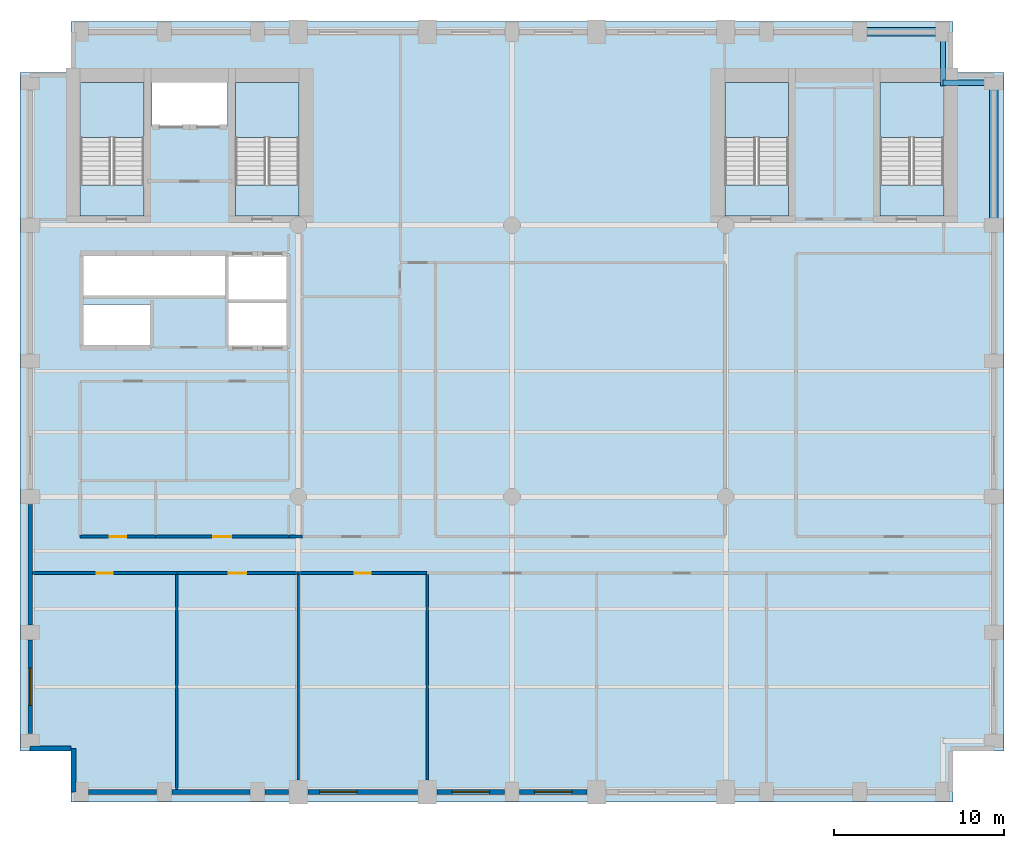
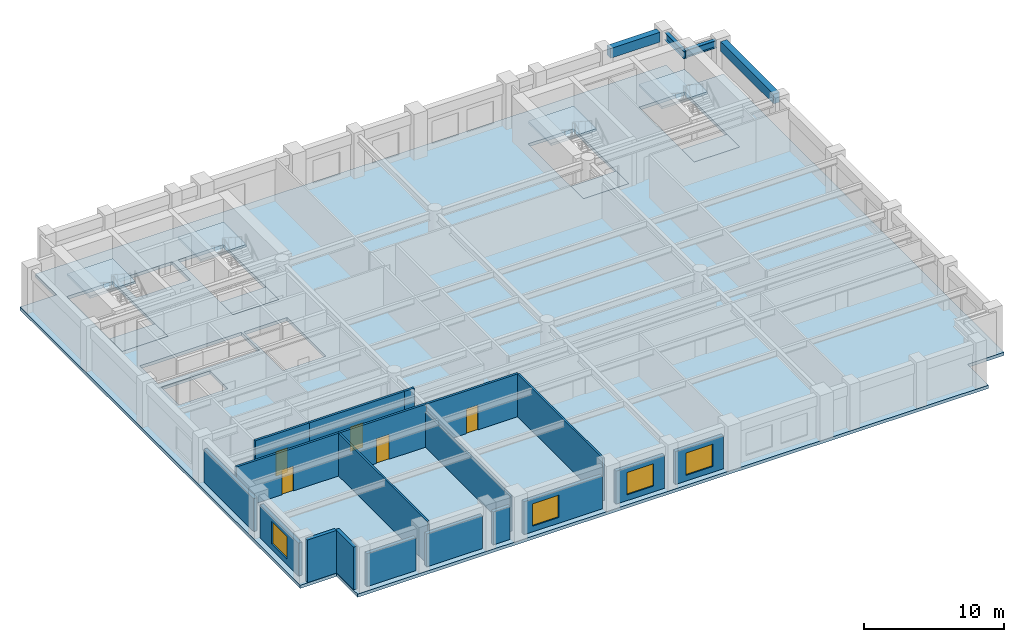
# One storey, part 2 of 8: 19 walls, 9 slabs, 5 doors, 4 beams, 4 windows, 9 openings, 4 elements without a shape of their own.
"""IFC4 building model written with IfcOpenShell, lengths in metres."""

from ifc_helpers import new_model, si_unit, direction, frame, frame_2d, origin, origin_2d, place, context, subcontext, project, spatial, polyline, rectangle, i_section, outline, extrude, material, layer, layer_set, material_profile, profile_set, type_object, element, fill, aggregate, save


model = new_model("IFC4")

# Units and contexts
model_context = context("Model", 3, precision=1e-05, world=origin(), true_north=direction((0.0, 1.0)))
body_context = subcontext(model_context, "Body", "Model", "MODEL_VIEW")
ifc_project = project(units=[si_unit("LENGTHUNIT", "METRE"), si_unit("AREAUNIT", "SQUARE_METRE"), si_unit("VOLUMEUNIT", "CUBIC_METRE"), si_unit("PLANEANGLEUNIT", "RADIAN"), si_unit("MASSUNIT", "GRAM", prefix="KILO")], contexts=[model_context])

# Site, building, storey
site_placement = place(None, origin())
site = spatial("IfcSite", under=ifc_project, at=site_placement, CompositionType="ELEMENT")
building_placement = place(site_placement, origin())
building = spatial("IfcBuilding", under=site, at=building_placement, Name="Sulina Concourse Tower", CompositionType="ELEMENT")
storey_placement = place(building_placement, frame((0.0, 0.0, 132.60009765625)))
storey = spatial("IfcBuildingStorey", under=building, at=storey_placement, Name="L32", CompositionType="ELEMENT", Elevation=132.60009765625)

# Beams
ifc_material_1 = material(Name="Steel S355", Category="steel")
ifc_material_profile_1 = material_profile(ifc_material_1, i_section(OverallWidth=0.300048828125, OverallDepth=0.64990234375, WebThickness=0.01611328125, FlangeThickness=0.031005859375, at=origin_2d()), Name="HE 650 B")
ifc_profile_set_1 = profile_set([ifc_material_profile_1], Name="Steel S355")
beam_type_1 = type_object("IfcBeamType", Name="Floor Primary Girder Zone 2 HE650B", PredefinedType="BEAM", material=ifc_profile_set_1)
beam_1_placement = place(storey_placement, frame((54.39990234375, 42.39990234375, 3.39990234375), z_axis=(1.0, 0.0, 0.0), x_axis=(0.0, 1.0, 0.0)))
element("IfcBeam", 1, at=beam_1_placement, inside=storey, type_object=beam_type_1, Name="TIE-NE-L32", PredefinedType="BEAM", context=body_context, shape_type="SweptSolid", body=[
    extrude(i_section(OverallWidth=0.300048828125, OverallDepth=0.64990234375, WebThickness=0.01611328125, FlangeThickness=0.031005859375, at=origin_2d()), origin(), (0.0, 0.0, 1.0), 2.59521484375),
])
beam_2_placement = place(storey_placement, frame((54.39990234375, 42.199951171875, 3.39990234375), z_axis=(0.0, 1.0, 0.0), x_axis=(-1.0, 0.0, 0.0)))
element("IfcBeam", 2, at=beam_2_placement, inside=storey, type_object=beam_type_1, Name="TIE-NEN-L32", PredefinedType="BEAM", context=body_context, shape_type="SweptSolid", body=[
    extrude(i_section(OverallWidth=0.300048828125, OverallDepth=0.64990234375, WebThickness=0.01611328125, FlangeThickness=0.031005859375, at=origin_2d()), origin(), (0.0, 0.0, 1.0), 2.795166015625),
])
ifc_material_2 = material(Name="Precast concrete C50/60", Category="concrete")
ifc_material_profile_2 = material_profile(ifc_material_2, rectangle(XDim=0.5, YDim=0.85009765625, at=origin_2d()), Name="RC 500x850")
ifc_profile_set_2 = profile_set([ifc_material_profile_2], Name="Precast concrete C50/60")
beam_type_2 = type_object("IfcBeamType", Name="Lower Precast Spandrel Edge Beam 500x850", PredefinedType="BEAM", material=ifc_profile_set_2)
beam_3_placement = place(storey_placement, frame((49.905029296875, 45.39990234375, 3.2998046875), z_axis=(1.0, 0.0, 0.0), x_axis=(0.0, 1.0, 0.0)))
element("IfcBeam", 3, at=beam_3_placement, inside=storey, type_object=beam_type_2, Name="SP-N10-L32", PredefinedType="BEAM", context=body_context, shape_type="SweptSolid", body=[
    extrude(rectangle(XDim=0.5, YDim=0.85009765625, at=origin_2d()), origin(), (0.0, 0.0, 1.0), 4.090087890625),
])
beam_4_placement = place(storey_placement, frame((57.39990234375, 34.405029296875, 3.2998046875), z_axis=(0.0, 1.0, 0.0), x_axis=(-1.0, 0.0, 0.0)))
element("IfcBeam", 4, at=beam_4_placement, inside=storey, type_object=beam_type_2, Name="SP-E5-L32", PredefinedType="BEAM", context=body_context, shape_type="SweptSolid", body=[
    extrude(rectangle(XDim=0.5, YDim=0.85009765625, at=origin_2d()), origin(), (0.0, 0.0, 1.0), 7.590087890625),
])

# Slabs
ifc_material_3 = material(Name="Concrete C50/60", Category="concrete")
ifc_layer_1 = layer(ifc_material_3, 0.27490234375)
ifc_layer_set_1 = layer_set([ifc_layer_1], Name="Concrete C50/60")
slab_type_1 = type_object("IfcSlabType", Name="Mid-Rise Composite Floor Slab 275mm", PredefinedType="FLOOR", material=ifc_layer_set_1)
slab_1_placement = place(storey_placement, frame((0.0, 0.0, -0.275146484375)))
element("IfcSlab", 5, at=slab_1_placement, inside=storey, type_object=slab_type_1, Name="L32 structural floor slab", PredefinedType="FLOOR", context=body_context, shape_type="SweptSolid", body=[
    extrude(outline(polyline([(3.0, 0.0), (55.0, 0.0), (55.0, 3.0), (58.0, 3.0), (58.0, 43.0), (55.0, 43.0), (55.0, 46.0), (3.0, 46.0), (3.0, 43.0), (0.0, 43.0), (0.0, 3.0), (3.0, 3.0), (3.0, 0.0)]), holes=[polyline([(7.31005859375, 34.550048828125), (7.31005859375, 42.429931640625), (3.550048828125, 42.429931640625), (3.550048828125, 34.550048828125), (7.31005859375, 34.550048828125)]), polyline([(16.449951171875, 34.550048828125), (16.449951171875, 42.429931640625), (12.68994140625, 42.429931640625), (12.68994140625, 34.550048828125), (16.449951171875, 34.550048828125)]), polyline([(45.31005859375, 34.550048828125), (45.31005859375, 42.429931640625), (41.550048828125, 42.429931640625), (41.550048828125, 34.550048828125), (45.31005859375, 34.550048828125)]), polyline([(54.449951171875, 34.550048828125), (54.449951171875, 42.429931640625), (50.68994140625, 42.429931640625), (50.68994140625, 34.550048828125), (54.449951171875, 34.550048828125)]), polyline([(7.780029296875, 39.830078125), (12.219970703125, 39.830078125), (12.219970703125, 42.449951171875), (7.780029296875, 42.449951171875), (7.780029296875, 39.830078125)]), polyline([(3.739990234375, 26.780029296875), (7.77001953125, 26.780029296875), (7.77001953125, 29.320068359375), (3.739990234375, 29.320068359375), (3.739990234375, 26.780029296875)]), polyline([(3.739990234375, 29.780029296875), (12.10009765625, 29.780029296875), (12.10009765625, 32.3701171875), (3.739990234375, 32.3701171875), (3.739990234375, 29.780029296875)]), polyline([(12.280029296875, 26.780029296875), (15.85009765625, 26.780029296875), (15.85009765625, 32.320068359375), (12.280029296875, 32.320068359375), (12.280029296875, 26.780029296875)])]), origin(), (0.0, 0.0, 1.0), 0.275146484375),
])
ifc_material_4 = material(Name="Concrete C50/60", Category="concrete")
ifc_layer_2 = layer(ifc_material_4, 0.199951171875)
ifc_layer_set_2 = layer_set([ifc_layer_2], Name="Concrete C50/60")
slab_type_2 = type_object("IfcSlabType", Name="Primary Core Stair Landing Slab 200mm", PredefinedType="LANDING", material=ifc_layer_set_2)
slab_2_placement = place(storey_placement, frame((0.0, 0.0, -0.2001953125)))
element("IfcSlab", 6, at=slab_2_placement, inside=storey, type_object=slab_type_2, Name="L32 ST-1 floor landing slab", PredefinedType="LANDING", context=body_context, shape_type="SweptSolid", body=[
    extrude(outline(polyline([(7.31005859375, 34.550048828125), (7.31005859375, 36.375), (3.550048828125, 36.375), (3.550048828125, 34.550048828125), (7.31005859375, 34.550048828125)])), origin(), (0.0, 0.0, 1.0), 0.2001953125),
])
slab_3_placement = place(storey_placement, frame((0.0, 0.0, -0.2001953125)))
element("IfcSlab", 7, at=slab_3_placement, inside=storey, type_object=slab_type_2, Name="L32 ST-2 floor landing slab", PredefinedType="LANDING", context=body_context, shape_type="SweptSolid", body=[
    extrude(outline(polyline([(16.449951171875, 34.550048828125), (16.449951171875, 36.375), (12.68994140625, 36.375), (12.68994140625, 34.550048828125), (16.449951171875, 34.550048828125)])), origin(), (0.0, 0.0, 1.0), 0.2001953125),
])
slab_4_placement = place(storey_placement, frame((0.0, 0.0, -0.2001953125)))
element("IfcSlab", 8, at=slab_4_placement, inside=storey, type_object=slab_type_2, Name="L32 ST-3 floor landing slab", PredefinedType="LANDING", context=body_context, shape_type="SweptSolid", body=[
    extrude(outline(polyline([(45.31005859375, 34.550048828125), (45.31005859375, 36.375), (41.550048828125, 36.375), (41.550048828125, 34.550048828125), (45.31005859375, 34.550048828125)])), origin(), (0.0, 0.0, 1.0), 0.2001953125),
])
slab_5_placement = place(storey_placement, frame((0.0, 0.0, -0.2001953125)))
element("IfcSlab", 9, at=slab_5_placement, inside=storey, type_object=slab_type_2, Name="L32 ST-4 floor landing slab", PredefinedType="LANDING", context=body_context, shape_type="SweptSolid", body=[
    extrude(outline(polyline([(54.449951171875, 34.550048828125), (54.449951171875, 36.375), (50.68994140625, 36.375), (50.68994140625, 34.550048828125), (54.449951171875, 34.550048828125)])), origin(), (0.0, 0.0, 1.0), 0.2001953125),
])

# Stair, slab
ifc_material_5 = material(Name="Concrete C50/60", Category="concrete")
stair_type_1 = type_object("IfcStairType", Name="Primary Core Dog-Leg Exit Stair 1800mm", PredefinedType="HALF_TURN_STAIR", material=ifc_material_5)
stair_1_placement = place(storey_placement, origin())
stair_1 = element("IfcStair", 10, at=stair_1_placement, inside=storey, type_object=stair_type_1, Name="L32 ST-1", PredefinedType="HALF_TURN_STAIR")
slab_6_placement = place(storey_placement, frame((0.0, 0.0, 1.7998046875)))
slab_6 = element("IfcSlab", 11, at=slab_6_placement, type_object=slab_type_2, Name="ST-1 landing 1", PredefinedType="LANDING", context=body_context, shape_type="SweptSolid", body=[
    extrude(outline(polyline([(7.304931640625, 39.175048828125), (7.304931640625, 42.425048828125), (3.554931640625, 42.425048828125), (3.554931640625, 39.175048828125), (7.304931640625, 39.175048828125)])), origin(), (0.0, 0.0, 1.0), 0.2001953125),
])
aggregate(stair_1, [slab_6])

stair_2_placement = place(storey_placement, origin())
stair_2 = element("IfcStair", 12, at=stair_2_placement, inside=storey, type_object=stair_type_1, Name="L32 ST-2", PredefinedType="HALF_TURN_STAIR")
slab_7_placement = place(storey_placement, frame((0.0, 0.0, 1.7998046875)))
slab_7 = element("IfcSlab", 13, at=slab_7_placement, type_object=slab_type_2, Name="ST-2 landing 1", PredefinedType="LANDING", context=body_context, shape_type="SweptSolid", body=[
    extrude(outline(polyline([(16.445068359375, 39.175048828125), (16.445068359375, 42.425048828125), (12.695068359375, 42.425048828125), (12.695068359375, 39.175048828125), (16.445068359375, 39.175048828125)])), origin(), (0.0, 0.0, 1.0), 0.2001953125),
])
aggregate(stair_2, [slab_7])

ifc_material_6 = material(Name="Concrete C50/60", Category="concrete")
stair_type_2 = type_object("IfcStairType", Name="Portal & Podium Core Exit Stair 1820mm", PredefinedType="HALF_TURN_STAIR", material=ifc_material_6)
stair_3_placement = place(storey_placement, origin())
stair_3 = element("IfcStair", 14, at=stair_3_placement, inside=storey, type_object=stair_type_2, Name="L32 ST-3", PredefinedType="HALF_TURN_STAIR")
slab_8_placement = place(storey_placement, frame((0.0, 0.0, 1.7998046875)))
slab_8 = element("IfcSlab", 15, at=slab_8_placement, type_object=slab_type_2, Name="ST-3 landing 1", PredefinedType="LANDING", context=body_context, shape_type="SweptSolid", body=[
    extrude(outline(polyline([(45.304931640625, 39.175048828125), (45.304931640625, 42.425048828125), (41.554931640625, 42.425048828125), (41.554931640625, 39.175048828125), (45.304931640625, 39.175048828125)])), origin(), (0.0, 0.0, 1.0), 0.2001953125),
])
aggregate(stair_3, [slab_8])

stair_4_placement = place(storey_placement, origin())
stair_4 = element("IfcStair", 16, at=stair_4_placement, inside=storey, type_object=stair_type_2, Name="L32 ST-4", PredefinedType="HALF_TURN_STAIR")
slab_9_placement = place(storey_placement, frame((0.0, 0.0, 1.7998046875)))
slab_9 = element("IfcSlab", 17, at=slab_9_placement, type_object=slab_type_2, Name="ST-4 landing 1", PredefinedType="LANDING", context=body_context, shape_type="SweptSolid", body=[
    extrude(outline(polyline([(54.445068359375, 39.175048828125), (54.445068359375, 42.425048828125), (50.695068359375, 42.425048828125), (50.695068359375, 39.175048828125), (54.445068359375, 39.175048828125)])), origin(), (0.0, 0.0, 1.0), 0.2001953125),
])
aggregate(stair_4, [slab_9])

# Walls
ifc_material_7 = material(Name="Gypsum board on steel stud", Category="steel")
ifc_layer_3 = layer(ifc_material_7, 0.14990234375)
ifc_layer_set_3 = layer_set([ifc_layer_3], Name="Gypsum board on steel stud")
wall_type_1 = type_object("IfcWallType", Name="Inter-Tenancy Acoustic Partition 150mm", PredefinedType="PARTITIONING", material=ifc_layer_set_3)
wall_1_placement = place(storey_placement, frame((9.239990234375, 0.739990234375, 0.0), z_axis=(0.0, 0.0, 1.0), x_axis=(0.0, 1.0, 0.0)))
element("IfcWall", 18, at=wall_1_placement, inside=storey, type_object=wall_type_1, Name="L32 interior partition 030", PredefinedType="PARTITIONING", context=body_context, shape_type="SweptSolid", body=[
    extrude(rectangle(XDim=12.669921875, YDim=0.14990234375, at=frame_2d((6.3349609375, 0.0))), origin(), (0.0, 0.0, 1.0), 3.724853515625),
])
wall_2_placement = place(storey_placement, frame((16.39990234375, 1.300048828125, 0.0), z_axis=(0.0, 0.0, 1.0), x_axis=(0.0, 1.0, 0.0)))
element("IfcWall", 19, at=wall_2_placement, inside=storey, type_object=wall_type_1, Name="L32 interior partition 036", PredefinedType="PARTITIONING", context=body_context, shape_type="SweptSolid", body=[
    extrude(rectangle(XDim=12.10986328125, YDim=0.14990234375, at=frame_2d((6.054931640625, 0.0))), origin(), (0.0, 0.0, 1.0), 3.06982421875),
])
wall_3_placement = place(storey_placement, frame((24.0, 1.300048828125, 0.0), z_axis=(0.0, 0.0, 1.0), x_axis=(0.0, 1.0, 0.0)))
element("IfcWall", 20, at=wall_3_placement, inside=storey, type_object=wall_type_1, Name="L32 interior partition 043", PredefinedType="PARTITIONING", context=body_context, shape_type="SweptSolid", body=[
    extrude(rectangle(XDim=12.10986328125, YDim=0.14990234375, at=frame_2d((6.054931640625, 0.0))), origin(), (0.0, 0.0, 1.0), 3.724853515625),
])

# Wall, opening, door
ifc_material_8 = material(Name="Gypsum board on steel stud", Category="steel")
ifc_layer_4 = layer(ifc_material_8, 0.179931640625)
ifc_layer_set_4 = layer_set([ifc_layer_4], Name="Gypsum board on steel stud")
wall_type_2 = type_object("IfcWallType", Name="Protected Corridor & Riser Partition 180mm", PredefinedType="PARTITIONING", material=ifc_layer_set_4)
wall_4_placement = place(storey_placement, frame((0.739990234375, 13.5, 0.0), z_axis=(0.0, 0.0, 1.0), x_axis=(1.0, 0.0, 0.0)))
wall_4 = element("IfcWall", 21, at=wall_4_placement, inside=storey, type_object=wall_type_2, Name="L32 interior partition 001", PredefinedType="PARTITIONING", context=body_context, shape_type="SweptSolid", body=[
    extrude(rectangle(XDim=8.5, YDim=0.179931640625, at=frame_2d((4.25, 0.0))), origin(), (0.0, 0.0, 1.0), 3.724853515625),
])
opening_1_placement = place(wall_4_placement, frame((3.77490234375, 0.0, 0.0)))
opening_1 = element("IfcOpeningElement", 22, at=opening_1_placement, cuts=wall_4, Name="Opening DR-19", PredefinedType="OPENING", context=body_context, shape_type="SweptSolid", body=[
    extrude(rectangle(XDim=0.949951171875, YDim=2.14990234375, at=frame_2d((0.47509765625, 1.074951171875))), frame((0.0, 0.099853515625, 0.0), z_axis=(0.0, -1.0, 0.0), x_axis=(1.0, 0.0, 0.0)), (0.0, 0.0, 1.0), 0.199951171875),
])
ifc_material_9 = material(Name="Oak-veneered acoustic timber leaf", Category="wood")
ifc_layer_5 = layer(ifc_material_9, 0.050048828125)
ifc_layer_set_5 = layer_set([ifc_layer_5], Name="Oak-veneered acoustic timber leaf")
door_type_1 = type_object("IfcDoorType", Name="Cellular Office & Meeting Door 950x2150", OperationType="NOTDEFINED", PredefinedType="DOOR", material=ifc_layer_set_5)
door_1_placement = place(opening_1_placement, origin())
door_1 = element("IfcDoor", 23, at=door_1_placement, inside=storey, type_object=door_type_1, Name="L32 interior door L32-S01", OperationType="SINGLE_SWING_RIGHT", OverallHeight=2.14990234375, OverallWidth=0.949951171875, PredefinedType="DOOR", context=body_context, shape_type="SweptSolid", body=[
    extrude(rectangle(XDim=0.949951171875, YDim=2.14990234375, at=frame_2d((0.47509765625, 1.074951171875))), frame((0.0, 0.02490234375, 0.0), z_axis=(0.0, -1.0, 0.0), x_axis=(1.0, 0.0, 0.0)), (0.0, 0.0, 1.0), 0.050048828125),
])
fill(opening_1, door_1)

wall_5_placement = place(storey_placement, frame((9.239990234375, 13.5, 0.0), z_axis=(0.0, 0.0, 1.0), x_axis=(1.0, 0.0, 0.0)))
wall_5 = element("IfcWall", 24, at=wall_5_placement, inside=storey, type_object=wall_type_2, Name="L32 interior partition 002", PredefinedType="PARTITIONING", context=body_context, shape_type="SweptSolid", body=[
    extrude(rectangle(XDim=7.159912109375, YDim=0.179931640625, at=frame_2d((3.580078125, 0.0))), origin(), (0.0, 0.0, 1.0), 3.724853515625),
])
opening_2_placement = place(wall_5_placement, frame((3.054931640625, 0.0, 0.0)))
opening_2 = element("IfcOpeningElement", 25, at=opening_2_placement, cuts=wall_5, Name="Opening DR-37", PredefinedType="OPENING", context=body_context, shape_type="SweptSolid", body=[
    extrude(rectangle(XDim=1.050048828125, YDim=2.14990234375, at=frame_2d((0.52490234375, 1.074951171875))), frame((0.0, 0.099853515625, 0.0), z_axis=(0.0, -1.0, 0.0), x_axis=(1.0, 0.0, 0.0)), (0.0, 0.0, 1.0), 0.199951171875),
])
ifc_material_10 = material(Name="Oak-veneered fire door leaf")
ifc_layer_6 = layer(ifc_material_10, 0.050048828125)
ifc_layer_set_6 = layer_set([ifc_layer_6], Name="Oak-veneered fire door leaf")
door_type_2 = type_object("IfcDoorType", Name="Tenant Suite Entrance Fire Door 1050x2150", OperationType="NOTDEFINED", PredefinedType="DOOR", material=ifc_layer_set_6)
door_2_placement = place(opening_2_placement, origin())
door_2 = element("IfcDoor", 26, at=door_2_placement, inside=storey, type_object=door_type_2, Name="L32 interior door L32-S02", OperationType="SINGLE_SWING_LEFT", OverallHeight=2.14990234375, OverallWidth=1.050048828125, PredefinedType="DOOR", context=body_context, shape_type="SweptSolid", body=[
    extrude(rectangle(XDim=1.050048828125, YDim=2.14990234375, at=frame_2d((0.52490234375, 1.074951171875))), frame((0.0, 0.02490234375, 0.0), z_axis=(0.0, -1.0, 0.0), x_axis=(1.0, 0.0, 0.0)), (0.0, 0.0, 1.0), 0.050048828125),
])
fill(opening_2, door_2)

wall_6_placement = place(storey_placement, frame((16.39990234375, 13.5, 0.0), z_axis=(0.0, 0.0, 1.0), x_axis=(1.0, 0.0, 0.0)))
wall_6 = element("IfcWall", 27, at=wall_6_placement, inside=storey, type_object=wall_type_2, Name="L32 interior partition 003", PredefinedType="PARTITIONING", context=body_context, shape_type="SweptSolid", body=[
    extrude(rectangle(XDim=7.60009765625, YDim=0.179931640625, at=frame_2d((3.800048828125, 0.0))), origin(), (0.0, 0.0, 1.0), 3.724853515625),
])
opening_3_placement = place(wall_6_placement, frame((3.324951171875, 0.0, 0.0)))
opening_3 = element("IfcOpeningElement", 28, at=opening_3_placement, cuts=wall_6, Name="Opening DR-19", PredefinedType="OPENING", context=body_context, shape_type="SweptSolid", body=[
    extrude(rectangle(XDim=0.949951171875, YDim=2.14990234375, at=frame_2d((0.47509765625, 1.074951171875))), frame((0.0, 0.099853515625, 0.0), z_axis=(0.0, -1.0, 0.0), x_axis=(1.0, 0.0, 0.0)), (0.0, 0.0, 1.0), 0.199951171875),
])
door_3_placement = place(opening_3_placement, origin())
door_3 = element("IfcDoor", 29, at=door_3_placement, inside=storey, type_object=door_type_1, Name="L32 interior door L32-S03", OperationType="SINGLE_SWING_RIGHT", OverallHeight=2.14990234375, OverallWidth=0.949951171875, PredefinedType="DOOR", context=body_context, shape_type="SweptSolid", body=[
    extrude(rectangle(XDim=0.949951171875, YDim=2.14990234375, at=frame_2d((0.47509765625, 1.074951171875))), frame((0.0, 0.02490234375, 0.0), z_axis=(0.0, -1.0, 0.0), x_axis=(1.0, 0.0, 0.0)), (0.0, 0.0, 1.0), 0.050048828125),
])
fill(opening_3, door_3)

wall_7_placement = place(storey_placement, frame((3.550048828125, 15.64990234375, 0.0), z_axis=(0.0, 0.0, 1.0), x_axis=(1.0, 0.0, 0.0)))
wall_7 = element("IfcWall", 30, at=wall_7_placement, inside=storey, type_object=wall_type_2, Name="L32 interior partition 007", PredefinedType="PARTITIONING", context=body_context, shape_type="SweptSolid", body=[
    extrude(rectangle(XDim=4.449951171875, YDim=0.179931640625, at=frame_2d((2.22509765625, 0.0))), origin(), (0.0, 0.0, 1.0), 3.724853515625),
])
opening_4_placement = place(wall_7_placement, frame((1.75, 0.0, 0.0)))
opening_4 = element("IfcOpeningElement", 31, at=opening_4_placement, cuts=wall_7, Name="Opening DR-19", PredefinedType="OPENING", context=body_context, shape_type="SweptSolid", body=[
    extrude(rectangle(XDim=0.949951171875, YDim=2.14990234375, at=frame_2d((0.47509765625, 1.074951171875))), frame((0.0, 0.099853515625, 0.0), z_axis=(0.0, -1.0, 0.0), x_axis=(1.0, 0.0, 0.0)), (0.0, 0.0, 1.0), 0.199951171875),
])
door_4_placement = place(opening_4_placement, origin())
door_4 = element("IfcDoor", 32, at=door_4_placement, inside=storey, type_object=door_type_1, Name="L32 interior door L32-WSB-1", OperationType="SINGLE_SWING_RIGHT", OverallHeight=2.14990234375, OverallWidth=0.949951171875, PredefinedType="DOOR", context=body_context, shape_type="SweptSolid", body=[
    extrude(rectangle(XDim=0.949951171875, YDim=2.14990234375, at=frame_2d((0.47509765625, 1.074951171875))), frame((0.0, 0.02490234375, 0.0), z_axis=(0.0, -1.0, 0.0), x_axis=(1.0, 0.0, 0.0)), (0.0, 0.0, 1.0), 0.050048828125),
])
fill(opening_4, door_4)

wall_8_placement = place(storey_placement, frame((8.0, 15.64990234375, 0.0), z_axis=(0.0, 0.0, 1.0), x_axis=(1.0, 0.0, 0.0)))
wall_8 = element("IfcWall", 33, at=wall_8_placement, inside=storey, type_object=wall_type_2, Name="L32 interior partition 008", PredefinedType="PARTITIONING", context=body_context, shape_type="SweptSolid", body=[
    extrude(rectangle(XDim=7.85009765625, YDim=0.179931640625, at=frame_2d((3.925048828125, 0.0))), origin(), (0.0, 0.0, 1.0), 3.724853515625),
])
opening_5_placement = place(wall_8_placement, frame((3.39990234375, 0.0, 0.0)))
opening_5 = element("IfcOpeningElement", 34, at=opening_5_placement, cuts=wall_8, Name="Opening DR-37", PredefinedType="OPENING", context=body_context, shape_type="SweptSolid", body=[
    extrude(rectangle(XDim=1.050048828125, YDim=2.14990234375, at=frame_2d((0.52490234375, 1.074951171875))), frame((0.0, 0.099853515625, 0.0), z_axis=(0.0, -1.0, 0.0), x_axis=(1.0, 0.0, 0.0)), (0.0, 0.0, 1.0), 0.199951171875),
])
door_5_placement = place(opening_5_placement, origin())
door_5 = element("IfcDoor", 35, at=door_5_placement, inside=storey, type_object=door_type_2, Name="L32 interior door L32-WSB-2", OperationType="SINGLE_SWING_LEFT", OverallHeight=2.14990234375, OverallWidth=1.050048828125, PredefinedType="DOOR", context=body_context, shape_type="SweptSolid", body=[
    extrude(rectangle(XDim=1.050048828125, YDim=2.14990234375, at=frame_2d((0.52490234375, 1.074951171875))), frame((0.0, 0.02490234375, 0.0), z_axis=(0.0, -1.0, 0.0), x_axis=(1.0, 0.0, 0.0)), (0.0, 0.0, 1.0), 0.050048828125),
])
fill(opening_5, door_5)

# Walls
wall_9_placement = place(storey_placement, frame((15.85009765625, 15.64990234375, 0.0), z_axis=(0.0, 0.0, 1.0), x_axis=(1.0, 0.0, 0.0)))
element("IfcWall", 36, at=wall_9_placement, inside=storey, type_object=wall_type_2, Name="L32 interior partition 009", PredefinedType="PARTITIONING", context=body_context, shape_type="SweptSolid", body=[
    extrude(rectangle(XDim=0.7998046875, YDim=0.179931640625, at=frame_2d((0.39990234375, 0.0))), origin(), (0.0, 0.0, 1.0), 3.724853515625),
])
ifc_material_11 = material(Name="Precast concrete C50/60", Category="concrete")
ifc_layer_7 = layer(ifc_material_11, 0.280029296875)
ifc_layer_set_7 = layer_set([ifc_layer_7], Name="Precast concrete C50/60")
wall_type_3 = type_object("IfcWallType", Name="Typical Precast Masonry-Frame Facade Wall 280mm", PredefinedType="SOLIDWALL", material=ifc_layer_set_7)
wall_10_placement = place(storey_placement, frame((8.054931640625, 0.60009765625, 0.0), z_axis=(0.0, 0.0, 1.0), x_axis=(-1.0, 0.0, 0.0)))
element("IfcWall", 37, at=wall_10_placement, inside=storey, type_object=wall_type_3, Name="L32 exterior precast wall S1", PredefinedType="SOLIDWALL", context=body_context, shape_type="SweptSolid", body=[
    extrude(rectangle(XDim=4.010009765625, YDim=0.280029296875, at=frame_2d((2.0048828125, 0.0))), origin(), (0.0, 0.0, 1.0), 2.875),
])
wall_11_placement = place(storey_placement, frame((13.554931640625, 0.60009765625, 0.0), z_axis=(0.0, 0.0, 1.0), x_axis=(-1.0, 0.0, 0.0)))
element("IfcWall", 38, at=wall_11_placement, inside=storey, type_object=wall_type_3, Name="L32 exterior precast wall S2", PredefinedType="SOLIDWALL", context=body_context, shape_type="SweptSolid", body=[
    extrude(rectangle(XDim=4.60986328125, YDim=0.280029296875, at=frame_2d((2.304931640625, 0.0))), origin(), (0.0, 0.0, 1.0), 2.875),
])
wall_12_placement = place(storey_placement, frame((15.830078125, 0.60009765625, 0.0), z_axis=(0.0, 0.0, 1.0), x_axis=(-1.0, 0.0, 0.0)))
element("IfcWall", 39, at=wall_12_placement, inside=storey, type_object=wall_type_3, Name="L32 exterior precast wall S3", PredefinedType="SOLIDWALL", context=body_context, shape_type="SweptSolid", body=[
    extrude(rectangle(XDim=1.385009765625, YDim=0.280029296875, at=frame_2d((0.6923828125, 0.0))), origin(), (0.0, 0.0, 1.0), 2.875),
])

# Wall, opening, window
wall_13_placement = place(storey_placement, frame((23.429931640625, 0.60009765625, 0.0), z_axis=(0.0, 0.0, 1.0), x_axis=(-1.0, 0.0, 0.0)))
wall_13 = element("IfcWall", 40, at=wall_13_placement, inside=storey, type_object=wall_type_3, Name="L32 exterior precast wall S4", PredefinedType="SOLIDWALL", context=body_context, shape_type="SweptSolid", body=[
    extrude(rectangle(XDim=6.4599609375, YDim=0.280029296875, at=frame_2d((3.22998046875, 0.0))), origin(), (0.0, 0.0, 1.0), 2.875),
])
opening_6_placement = place(wall_13_placement, frame((3.5732421875, 0.0, 0.5)))
opening_6 = element("IfcOpeningElement", 41, at=opening_6_placement, cuts=wall_13, Name="Opening WN-76", PredefinedType="OPENING", context=body_context, shape_type="SweptSolid", body=[
    extrude(rectangle(XDim=2.199951171875, YDim=1.949951171875, at=frame_2d((1.10009765625, 0.97509765625))), frame((0.0, 0.14990234375, 0.0), z_axis=(0.0, -1.0, 0.0), x_axis=(1.0, 0.0, 0.0)), (0.0, 0.0, 1.0), 0.300048828125),
])
ifc_material_12 = material(Name="Low-E solar double glazing in bronze aluminium", Category="aluminium")
window_type = type_object("IfcWindowType", Name="Recessed Spandrel Window 2200x1950", PartitioningType="DOUBLE_PANEL_VERTICAL", PredefinedType="WINDOW", material=ifc_material_12)
window_1_placement = place(opening_6_placement, origin())
window_1 = element("IfcWindow", 42, at=window_1_placement, inside=storey, type_object=window_type, Name="L32 punched window S4-1", OverallHeight=1.949951171875, OverallWidth=2.199951171875, PartitioningType="SINGLE_PANEL", PredefinedType="WINDOW", context=body_context, shape_type="SweptSolid", body=[
    extrude(rectangle(XDim=2.199951171875, YDim=1.949951171875, at=frame_2d((1.10009765625, 0.97509765625))), frame((0.0, 0.030029296875, 0.0), z_axis=(0.0, -1.0, 0.0), x_axis=(1.0, 0.0, 0.0)), (0.0, 0.0, 1.0), 0.06005859375),
])
fill(opening_6, window_1)

wall_14_placement = place(storey_placement, frame((28.554931640625, 0.60009765625, 0.0), z_axis=(0.0, 0.0, 1.0), x_axis=(-1.0, 0.0, 0.0)))
wall_14 = element("IfcWall", 43, at=wall_14_placement, inside=storey, type_object=wall_type_3, Name="L32 exterior precast wall S5", PredefinedType="SOLIDWALL", context=body_context, shape_type="SweptSolid", body=[
    extrude(rectangle(XDim=3.98486328125, YDim=0.280029296875, at=frame_2d((1.992431640625, 0.0))), origin(), (0.0, 0.0, 1.0), 2.875),
])
opening_7_placement = place(wall_14_placement, frame((0.892578125, 0.0, 0.5)))
opening_7 = element("IfcOpeningElement", 44, at=opening_7_placement, cuts=wall_14, Name="Opening WN-76", PredefinedType="OPENING", context=body_context, shape_type="SweptSolid", body=[
    extrude(rectangle(XDim=2.199951171875, YDim=1.949951171875, at=frame_2d((1.10009765625, 0.97509765625))), frame((0.0, 0.14990234375, 0.0), z_axis=(0.0, -1.0, 0.0), x_axis=(1.0, 0.0, 0.0)), (0.0, 0.0, 1.0), 0.300048828125),
])
window_2_placement = place(opening_7_placement, origin())
window_2 = element("IfcWindow", 45, at=window_2_placement, inside=storey, type_object=window_type, Name="L32 punched window S5-1", OverallHeight=1.949951171875, OverallWidth=2.199951171875, PartitioningType="SINGLE_PANEL", PredefinedType="WINDOW", context=body_context, shape_type="SweptSolid", body=[
    extrude(rectangle(XDim=2.199951171875, YDim=1.949951171875, at=frame_2d((1.10009765625, 0.97509765625))), frame((0.0, 0.030029296875, 0.0), z_axis=(0.0, -1.0, 0.0), x_axis=(1.0, 0.0, 0.0)), (0.0, 0.0, 1.0), 0.06005859375),
])
fill(opening_7, window_2)

wall_15_placement = place(storey_placement, frame((33.429931640625, 0.60009765625, 0.0), z_axis=(0.0, 0.0, 1.0), x_axis=(-1.0, 0.0, 0.0)))
wall_15 = element("IfcWall", 46, at=wall_15_placement, inside=storey, type_object=wall_type_3, Name="L32 exterior precast wall S6", PredefinedType="SOLIDWALL", context=body_context, shape_type="SweptSolid", body=[
    extrude(rectangle(XDim=3.98486328125, YDim=0.280029296875, at=frame_2d((1.992431640625, 0.0))), origin(), (0.0, 0.0, 1.0), 2.875),
])
opening_8_placement = place(wall_15_placement, frame((0.892578125, 0.0, 0.5)))
opening_8 = element("IfcOpeningElement", 47, at=opening_8_placement, cuts=wall_15, Name="Opening WN-76", PredefinedType="OPENING", context=body_context, shape_type="SweptSolid", body=[
    extrude(rectangle(XDim=2.199951171875, YDim=1.949951171875, at=frame_2d((1.10009765625, 0.97509765625))), frame((0.0, 0.14990234375, 0.0), z_axis=(0.0, -1.0, 0.0), x_axis=(1.0, 0.0, 0.0)), (0.0, 0.0, 1.0), 0.300048828125),
])
window_3_placement = place(opening_8_placement, origin())
window_3 = element("IfcWindow", 48, at=window_3_placement, inside=storey, type_object=window_type, Name="L32 punched window S6-1", OverallHeight=1.949951171875, OverallWidth=2.199951171875, PartitioningType="SINGLE_PANEL", PredefinedType="WINDOW", context=body_context, shape_type="SweptSolid", body=[
    extrude(rectangle(XDim=2.199951171875, YDim=1.949951171875, at=frame_2d((1.10009765625, 0.97509765625))), frame((0.0, 0.030029296875, 0.0), z_axis=(0.0, -1.0, 0.0), x_axis=(1.0, 0.0, 0.0)), (0.0, 0.0, 1.0), 0.06005859375),
])
fill(opening_8, window_3)

wall_16_placement = place(storey_placement, frame((0.60009765625, 4.044921875, 0.0), z_axis=(0.0, 0.0, 1.0), x_axis=(0.0, 1.0, 0.0)))
wall_16 = element("IfcWall", 49, at=wall_16_placement, inside=storey, type_object=wall_type_3, Name="L32 exterior precast wall W1", PredefinedType="SOLIDWALL", context=body_context, shape_type="SweptSolid", body=[
    extrude(rectangle(XDim=5.510009765625, YDim=0.280029296875, at=frame_2d((2.7548828125, 0.0))), origin(), (0.0, 0.0, 1.0), 2.875),
])
opening_9_placement = place(wall_16_placement, frame((1.655029296875, 0.0, 0.5)))
opening_9 = element("IfcOpeningElement", 50, at=opening_9_placement, cuts=wall_16, Name="Opening WN-76", PredefinedType="OPENING", context=body_context, shape_type="SweptSolid", body=[
    extrude(rectangle(XDim=2.199951171875, YDim=1.949951171875, at=frame_2d((1.10009765625, 0.97509765625))), frame((0.0, 0.14990234375, 0.0), z_axis=(0.0, -1.0, 0.0), x_axis=(1.0, 0.0, 0.0)), (0.0, 0.0, 1.0), 0.300048828125),
])
window_4_placement = place(opening_9_placement, origin())
window_4 = element("IfcWindow", 51, at=window_4_placement, inside=storey, type_object=window_type, Name="L32 punched window W1-1", OverallHeight=1.949951171875, OverallWidth=2.199951171875, PartitioningType="SINGLE_PANEL", PredefinedType="WINDOW", context=body_context, shape_type="SweptSolid", body=[
    extrude(rectangle(XDim=2.199951171875, YDim=1.949951171875, at=frame_2d((1.10009765625, 0.97509765625))), frame((0.0, 0.030029296875, 0.0), z_axis=(0.0, -1.0, 0.0), x_axis=(1.0, 0.0, 0.0)), (0.0, 0.0, 1.0), 0.06005859375),
])
fill(opening_9, window_4)

# Walls
wall_17_placement = place(storey_placement, frame((0.60009765625, 10.445068359375, 0.0), z_axis=(0.0, 0.0, 1.0), x_axis=(0.0, 1.0, 0.0)))
element("IfcWall", 52, at=wall_17_placement, inside=storey, type_object=wall_type_3, Name="L32 exterior precast wall W2", PredefinedType="SOLIDWALL", context=body_context, shape_type="SweptSolid", body=[
    extrude(rectangle(XDim=7.10986328125, YDim=0.280029296875, at=frame_2d((3.554931640625, 0.0))), origin(), (0.0, 0.0, 1.0), 2.875),
])
wall_18_placement = place(storey_placement, frame((3.155029296875, 0.60009765625, 0.0), z_axis=(0.0, 0.0, 1.0), x_axis=(0.0, 1.0, 0.0)))
element("IfcWall", 53, at=wall_18_placement, inside=storey, type_object=wall_type_3, Name="L32 exterior precast wall CSW1", PredefinedType="SOLIDWALL", context=body_context, shape_type="SweptSolid", body=[
    extrude(rectangle(XDim=2.554931640625, YDim=0.280029296875, at=frame_2d((1.27734375, 0.0))), origin(), (0.0, 0.0, 1.0), 3.724853515625),
])
wall_19_placement = place(storey_placement, frame((3.010009765625, 3.155029296875, 0.0), z_axis=(0.0, 0.0, 1.0), x_axis=(-1.0, 0.0, 0.0)))
element("IfcWall", 54, at=wall_19_placement, inside=storey, type_object=wall_type_3, Name="L32 exterior precast wall CSW2", PredefinedType="SOLIDWALL", context=body_context, shape_type="SweptSolid", body=[
    extrude(rectangle(XDim=2.409912109375, YDim=0.280029296875, at=frame_2d((1.205078125, 0.0))), origin(), (0.0, 0.0, 1.0), 3.724853515625),
])

save(model, "model.ifc")
